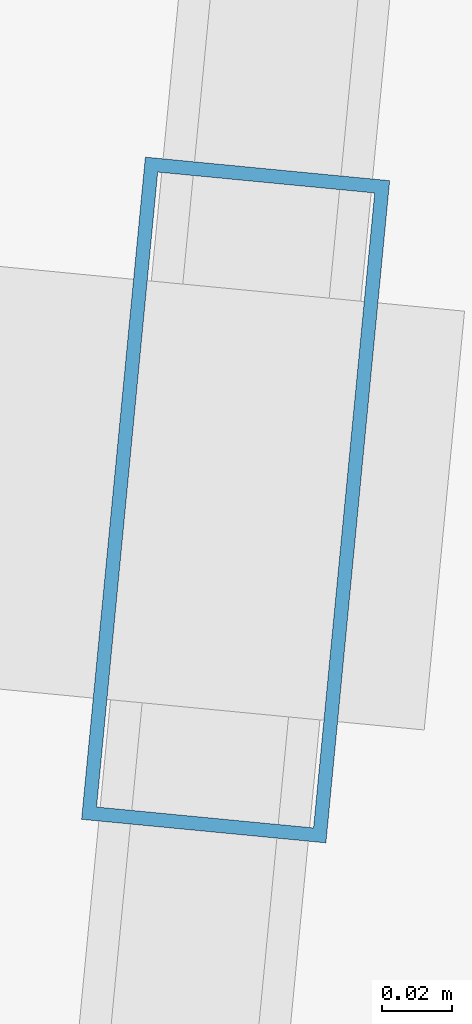
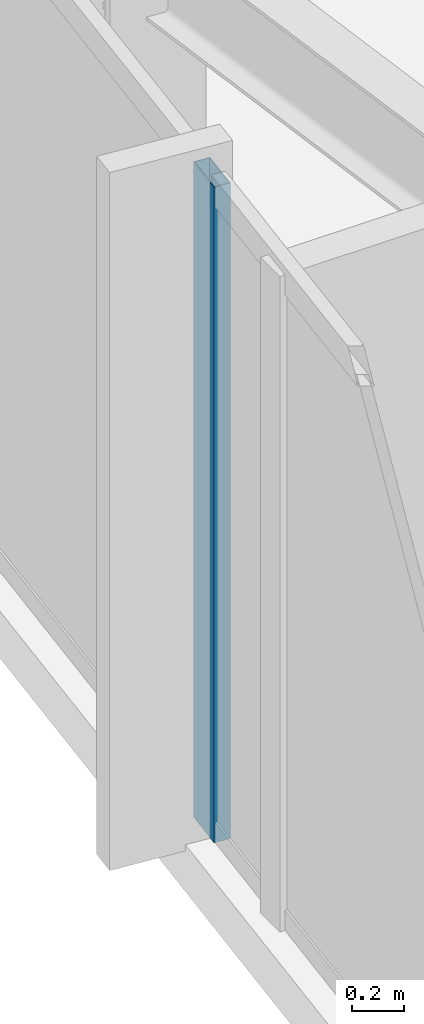
# One storey, part 4 of 37: 1 member, 1 element without a shape of its own.
"""IFC4 building model written with IfcOpenShell, lengths in metres."""

from ifc_helpers import new_model, si_unit, direction, frame, origin, origin_2d, place, context, subcontext, project, spatial, hollow_rectangle, extrude, material, material_profile, profile_set, type_object, element, aggregate, save


model = new_model("IFC4")

# Units and contexts
model_context = context("Model", 3, precision=1e-05, world=origin(), true_north=direction((0.0, 1.0)))
body_context = subcontext(model_context, "Body", "Model", "MODEL_VIEW")
ifc_project = project(units=[si_unit("LENGTHUNIT", "METRE"), si_unit("AREAUNIT", "SQUARE_METRE"), si_unit("VOLUMEUNIT", "CUBIC_METRE"), si_unit("PLANEANGLEUNIT", "RADIAN"), si_unit("MASSUNIT", "GRAM", prefix="KILO")], contexts=[model_context])

# Site, building, storey
site_placement = place(None, origin())
site = spatial("IfcSite", under=ifc_project, at=site_placement, CompositionType="ELEMENT")
building_placement = place(site_placement, origin())
building = spatial("IfcBuilding", under=site, at=building_placement, Name="Yelkora Congress Tower", CompositionType="ELEMENT")
storey_placement = place(building_placement, frame((0.0, 0.0, 165.5)))
storey = spatial("IfcBuildingStorey", under=building, at=storey_placement, Name="L45", CompositionType="ELEMENT", Elevation=165.5)

# Curtain wall, member
ifc_material_1 = material(Name="Anodised aluminium and insulated glass", Category="aluminium")
curtain_wall_type = type_object("IfcCurtainWallType", Name="CW-SYS-B3", PredefinedType="NOTDEFINED", material=ifc_material_1)
curtain_wall_placement = place(storey_placement, origin())
curtain_wall = element("IfcCurtainWall", 1, at=curtain_wall_placement, inside=storey, type_object=curtain_wall_type, Name="L45 Unitised Curtain Wall 5", PredefinedType="NOTDEFINED")
ifc_material_2 = material(Name="Anodised aluminium 6063-T6", Category="aluminium")
ifc_material_profile = material_profile(ifc_material_2, hollow_rectangle(XDim=0.070068359375, YDim=0.18994140625, WallThickness=0.00390625, at=origin_2d()), Name="ALU 70x190x4")
ifc_profile_set = profile_set([ifc_material_profile], Name="Anodised aluminium 6063-T6")
member_type = type_object("IfcMemberType", Name="MEM-ML-B3", PredefinedType="MULLION", material=ifc_profile_set)
member_placement = place(storey_placement, frame((1.9248046875, 22.962158203125, 0.0), z_axis=(0.0, 0.0, 1.0), x_axis=(-0.995396242473, 0.095845294465, 0.0)))
member = element("IfcMember", 2, at=member_placement, type_object=member_type, Name="CW-B3 mullion 2", PredefinedType="MULLION", context=body_context, shape_type="SweptSolid", body=[
    extrude(hollow_rectangle(XDim=0.070068359375, YDim=0.18994140625, WallThickness=0.00390625, at=origin_2d()), origin(), (0.0, 0.0, 1.0), 3.080078125),
])
aggregate(curtain_wall, [member])

save(model, "model.ifc")
